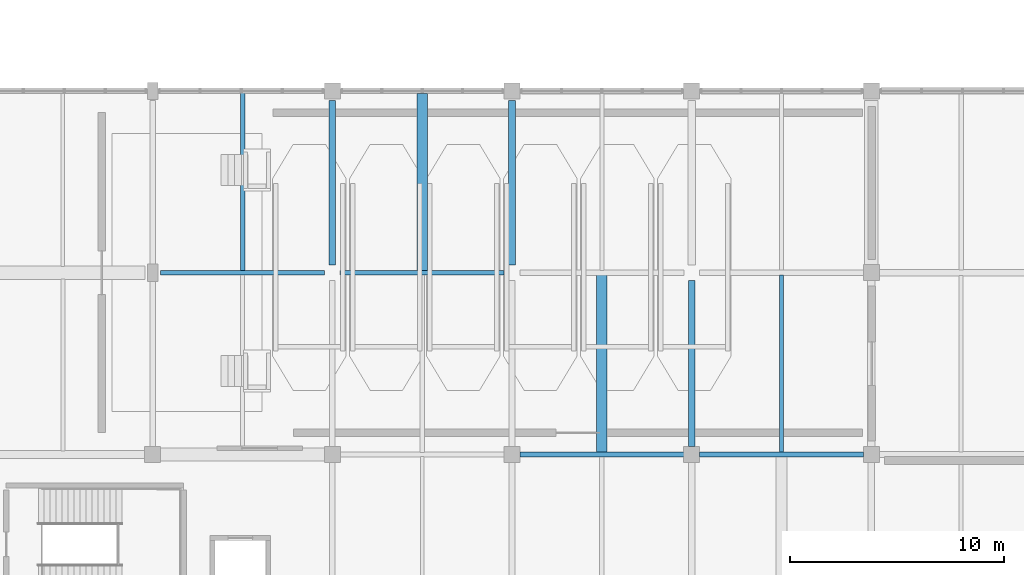
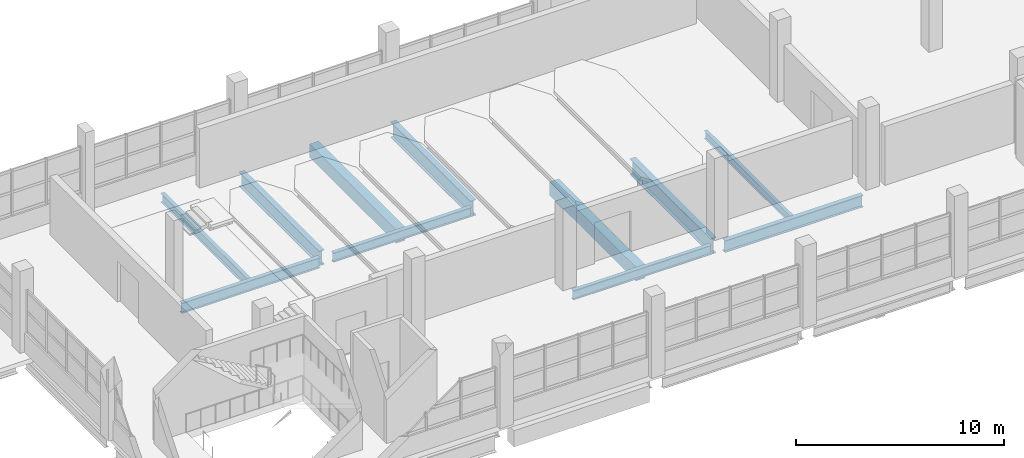
# One storey, part 57 of 117: 11 beams.
"""IFC4 building model written with IfcOpenShell, lengths in metres."""

from ifc_helpers import new_model, si_unit, direction, frame, origin, origin_2d, place, context, subcontext, project, spatial, rectangle, i_section, extrude, material, material_profile, profile_set, type_object, element, save


model = new_model("IFC4")

# Units and contexts
model_context = context("Model", 3, precision=1e-05, world=origin(), true_north=direction((0.0, 1.0)))
body_context = subcontext(model_context, "Body", "Model", "MODEL_VIEW")
ifc_project = project(units=[si_unit("LENGTHUNIT", "METRE"), si_unit("AREAUNIT", "SQUARE_METRE"), si_unit("VOLUMEUNIT", "CUBIC_METRE"), si_unit("PLANEANGLEUNIT", "RADIAN"), si_unit("MASSUNIT", "GRAM", prefix="KILO")], contexts=[model_context])

# Site, building, storey
site_placement = place(None, origin())
site = spatial("IfcSite", under=ifc_project, at=site_placement, CompositionType="ELEMENT")
building_placement = place(site_placement, origin())
building = spatial("IfcBuilding", under=site, at=building_placement, Name="Solvento Point Concert Hall", CompositionType="ELEMENT")
storey_placement = place(building_placement, frame((0.0, 0.0, 5.39990234375)))
storey = spatial("IfcBuildingStorey", under=building, at=storey_placement, Name="L01", CompositionType="ELEMENT", Elevation=5.39990234375)

# Beams
ifc_material_1 = material(Name="Concrete C35/45", Category="concrete")
ifc_material_profile_1 = material_profile(ifc_material_1, rectangle(XDim=0.5, YDim=0.800048828125, at=origin_2d()), Name="RC-BM-500X800")
ifc_profile_set_1 = profile_set([ifc_material_profile_1], Name="Concrete C35/45")
beam_type_1 = type_object("IfcBeamType", Name="Beam_RC_500x800", PredefinedType="BEAM", material=ifc_profile_set_1)
for number, where, z_axis, x_axis, name in (
    (1, (171.0, 17.092041015625, -0.823974609375), (0.0, 1.0, 0.0), (-1.0, 0.0, 0.0), "Secondary floor joist B-63 L01"),
    (2, (179.39990234375, 8.592041015625, -0.823974609375), (0.0, 1.0, 0.0), (-1.0, 0.0, 0.0), "Secondary floor joist B-63 L01"),
):
    element("IfcBeam", number, at=place(storey_placement, frame(where, z_axis=z_axis, x_axis=x_axis)), inside=storey, type_object=beam_type_1, Name=name, PredefinedType="BEAM", context=body_context, shape_type="SweptSolid", body=[
        extrude(rectangle(XDim=0.5, YDim=0.800048828125, at=origin_2d()), origin(), (0.0, 0.0, 1.0), 8.294921875),
    ])
ifc_material_2 = material(Name="Structural Steel ASTM A992 Grade 50", Category="steel")
ifc_material_profile_2 = material_profile(ifc_material_2, i_section(OverallWidth=0.20947265625, OverallDepth=0.532958984375, WebThickness=0.01025390625, FlangeThickness=0.015625, at=origin_2d()), Name="W21X62")
ifc_profile_set_2 = profile_set([ifc_material_profile_2], Name="Structural Steel ASTM A992 Grade 50")
beam_type_2 = type_object("IfcBeamType", Name="Beam_W21X62", PredefinedType="BEAM", material=ifc_profile_set_2)
beam_1_placement = place(storey_placement, frame((162.60009765625, 17.09912109375, -0.6904296875), z_axis=(0.0, 1.0, 0.0), x_axis=(-1.0, 0.0, 0.0)))
element("IfcBeam", 3, at=beam_1_placement, inside=storey, type_object=beam_type_2, Name="Secondary floor joist B-25 L01", PredefinedType="BEAM", context=body_context, shape_type="SweptSolid", body=[
    extrude(i_section(OverallWidth=0.20947265625, OverallDepth=0.532958984375, WebThickness=0.01025390625, FlangeThickness=0.015625, at=origin_2d()), origin(), (0.0, 0.0, 1.0), 8.308837890625),
])
ifc_material_3 = material(Name="Structural Steel ASTM A992 Grade 50", Category="steel")
ifc_material_profile_3 = material_profile(ifc_material_3, i_section(OverallWidth=0.214111328125, OverallDepth=0.549072265625, WebThickness=0.0146484375, FlangeThickness=0.023681640625, at=origin_2d()), Name="W21X93")
ifc_profile_set_3 = profile_set([ifc_material_profile_3], Name="Structural Steel ASTM A992 Grade 50")
beam_type_3 = type_object("IfcBeamType", Name="Beam_W21X93", PredefinedType="BEAM", material=ifc_profile_set_3)
beam_2_placement = place(storey_placement, frame((175.569091796875, 8.5, -0.698486328125), z_axis=(1.0, 0.0, 0.0), x_axis=(0.0, 1.0, 0.0)))
element("IfcBeam", 4, at=beam_2_placement, inside=storey, type_object=beam_type_3, Name="Primary girder B-48 L01", PredefinedType="BEAM", context=body_context, shape_type="SweptSolid", body=[
    extrude(i_section(OverallWidth=0.214111328125, OverallDepth=0.549072265625, WebThickness=0.0146484375, FlangeThickness=0.023681640625, at=origin_2d()), origin(), (0.0, 0.0, 1.0), 7.661865234375),
])
beam_3_placement = place(storey_placement, frame((167.1689453125, 17.0, -0.698486328125), z_axis=(1.0, 0.0, 0.0), x_axis=(0.0, 1.0, 0.0)))
element("IfcBeam", 5, at=beam_3_placement, inside=storey, type_object=beam_type_3, Name="Primary girder B-48 L01", PredefinedType="BEAM", context=body_context, shape_type="SweptSolid", body=[
    extrude(i_section(OverallWidth=0.214111328125, OverallDepth=0.549072265625, WebThickness=0.0146484375, FlangeThickness=0.023681640625, at=origin_2d()), origin(), (0.0, 0.0, 1.0), 7.662109375),
])
ifc_material_4 = material(Name="Structural Steel ASTM A992 Grade 50", Category="steel")
ifc_material_profile_4 = material_profile(ifc_material_4, i_section(OverallWidth=0.228515625, OverallDepth=0.60791015625, WebThickness=0.01123046875, FlangeThickness=0.017333984375, at=origin_2d()), Name="W24X76")
ifc_profile_set_4 = profile_set([ifc_material_profile_4], Name="Structural Steel ASTM A992 Grade 50")
beam_type_4 = type_object("IfcBeamType", Name="Beam_W24X76", PredefinedType="BEAM", material=ifc_profile_set_4)
beam_4_placement = place(storey_placement, frame((158.76904296875, 17.0, -0.727783203125), z_axis=(1.0, 0.0, 0.0), x_axis=(0.0, 1.0, 0.0)))
element("IfcBeam", 6, at=beam_4_placement, inside=storey, type_object=beam_type_4, Name="Primary girder B-42 L01", PredefinedType="BEAM", context=body_context, shape_type="SweptSolid", body=[
    extrude(i_section(OverallWidth=0.228515625, OverallDepth=0.60791015625, WebThickness=0.01123046875, FlangeThickness=0.017333984375, at=origin_2d()), origin(), (0.0, 0.0, 1.0), 7.661865234375),
])
ifc_material_5 = material(Name="Structural Steel ASTM A992 Grade 50", Category="steel")
ifc_material_profile_5 = material_profile(ifc_material_5, i_section(OverallWidth=0.256103515625, OverallDepth=0.693115234375, WebThickness=0.014404296875, FlangeThickness=0.023681640625, at=origin_2d()), Name="W27X114")
ifc_profile_set_5 = profile_set([ifc_material_profile_5], Name="Structural Steel ASTM A992 Grade 50")
beam_type_5 = type_object("IfcBeamType", Name="Girder_W27X114", PredefinedType="USERDEFINED", material=ifc_profile_set_5)
beam_5_placement = place(storey_placement, frame((183.968994140625, 8.5, -0.7705078125), z_axis=(1.0, 0.0, 0.0), x_axis=(0.0, 1.0, 0.0)))
element("IfcBeam", 7, at=beam_5_placement, inside=storey, type_object=beam_type_5, Name="Primary girder B-23 L01", ObjectType="GIRDER", PredefinedType="USERDEFINED", context=body_context, shape_type="SweptSolid", body=[
    extrude(i_section(OverallWidth=0.256103515625, OverallDepth=0.693115234375, WebThickness=0.014404296875, FlangeThickness=0.023681640625, at=origin_2d()), origin(), (0.0, 0.0, 1.0), 7.662109375),
])
ifc_material_6 = material(Name="Structural Steel ASTM A992 Grade 50", Category="steel")
ifc_material_profile_6 = material_profile(ifc_material_6, i_section(OverallWidth=0.2919921875, OverallDepth=0.85888671875, WebThickness=0.01708984375, FlangeThickness=0.031005859375, at=origin_2d()), Name="W33X169")
ifc_profile_set_6 = profile_set([ifc_material_profile_6], Name="Structural Steel ASTM A992 Grade 50")
beam_type_6 = type_object("IfcBeamType", Name="Girder_W33X169", PredefinedType="USERDEFINED", material=ifc_profile_set_6)
beam_6_placement = place(storey_placement, frame((166.800048828125, 17.368896484375, -0.853515625), z_axis=(0.0, 1.0, 0.0), x_axis=(-1.0, 0.0, 0.0)))
element("IfcBeam", 8, at=beam_6_placement, inside=storey, type_object=beam_type_6, Name="Primary girder B-33 L01", ObjectType="GIRDER", PredefinedType="USERDEFINED", context=body_context, shape_type="SweptSolid", body=[
    extrude(i_section(OverallWidth=0.2919921875, OverallDepth=0.85888671875, WebThickness=0.01708984375, FlangeThickness=0.031005859375, at=origin_2d()), origin(), (0.0, 0.0, 1.0), 7.68701171875),
])
ifc_material_7 = material(Name="Structural Steel ASTM A992 Grade 50", Category="steel")
ifc_material_profile_7 = material_profile(ifc_material_7, i_section(OverallWidth=0.3076171875, OverallDepth=0.927001953125, WebThickness=0.019287109375, FlangeThickness=0.031982421875, at=origin_2d()), Name="W36X194")
ifc_profile_set_7 = profile_set([ifc_material_profile_7], Name="Structural Steel ASTM A992 Grade 50")
beam_type_7 = type_object("IfcBeamType", Name="Girder_W36X194", PredefinedType="USERDEFINED", material=ifc_profile_set_7)
beam_7_placement = place(storey_placement, frame((175.199951171875, 17.368896484375, -0.887451171875), z_axis=(0.0, 1.0, 0.0), x_axis=(-1.0, 0.0, 0.0)))
element("IfcBeam", 9, at=beam_7_placement, inside=storey, type_object=beam_type_7, Name="Primary girder B-61 L01", ObjectType="GIRDER", PredefinedType="USERDEFINED", context=body_context, shape_type="SweptSolid", body=[
    extrude(i_section(OverallWidth=0.3076171875, OverallDepth=0.927001953125, WebThickness=0.019287109375, FlangeThickness=0.031982421875, at=origin_2d()), origin(), (0.0, 0.0, 1.0), 7.68701171875),
])
beam_8_placement = place(storey_placement, frame((183.60009765625, 8.868896484375, -0.887451171875), z_axis=(0.0, 1.0, 0.0), x_axis=(-1.0, 0.0, 0.0)))
element("IfcBeam", 10, at=beam_8_placement, inside=storey, type_object=beam_type_7, Name="Primary girder B-61 L01", ObjectType="GIRDER", PredefinedType="USERDEFINED", context=body_context, shape_type="SweptSolid", body=[
    extrude(i_section(OverallWidth=0.3076171875, OverallDepth=0.927001953125, WebThickness=0.019287109375, FlangeThickness=0.031982421875, at=origin_2d()), origin(), (0.0, 0.0, 1.0), 7.76220703125),
])
ifc_material_8 = material(Name="Structural Steel ASTM A992 Grade 50", Category="steel")
ifc_material_profile_8 = material_profile(ifc_material_8, i_section(OverallWidth=0.1904296875, OverallDepth=0.45703125, WebThickness=0.009033203125, FlangeThickness=0.014404296875, at=origin_2d()), Name="W18X50")
ifc_profile_set_8 = profile_set([ifc_material_profile_8], Name="Structural Steel ASTM A992 Grade 50")
beam_type_8 = type_object("IfcBeamType", Name="Joist_W18X50", PredefinedType="JOIST", material=ifc_profile_set_8)
beam_9_placement = place(storey_placement, frame((187.800048828125, 8.613037109375, -0.65234375), z_axis=(0.0, 1.0, 0.0), x_axis=(-1.0, 0.0, 0.0)))
element("IfcBeam", 11, at=beam_9_placement, inside=storey, type_object=beam_type_8, Name="Secondary floor joist B-66 L01", PredefinedType="JOIST", context=body_context, shape_type="SweptSolid", body=[
    extrude(i_section(OverallWidth=0.1904296875, OverallDepth=0.45703125, WebThickness=0.009033203125, FlangeThickness=0.014404296875, at=origin_2d()), origin(), (0.0, 0.0, 1.0), 8.26806640625),
])

save(model, "model.ifc")
